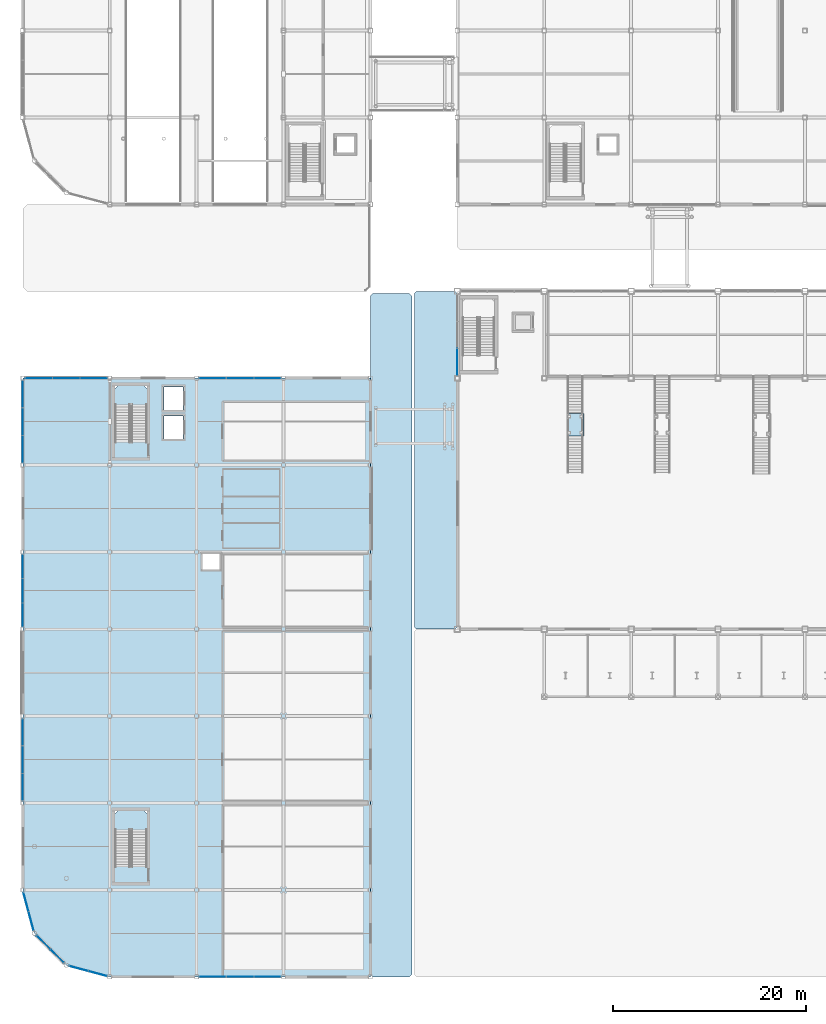
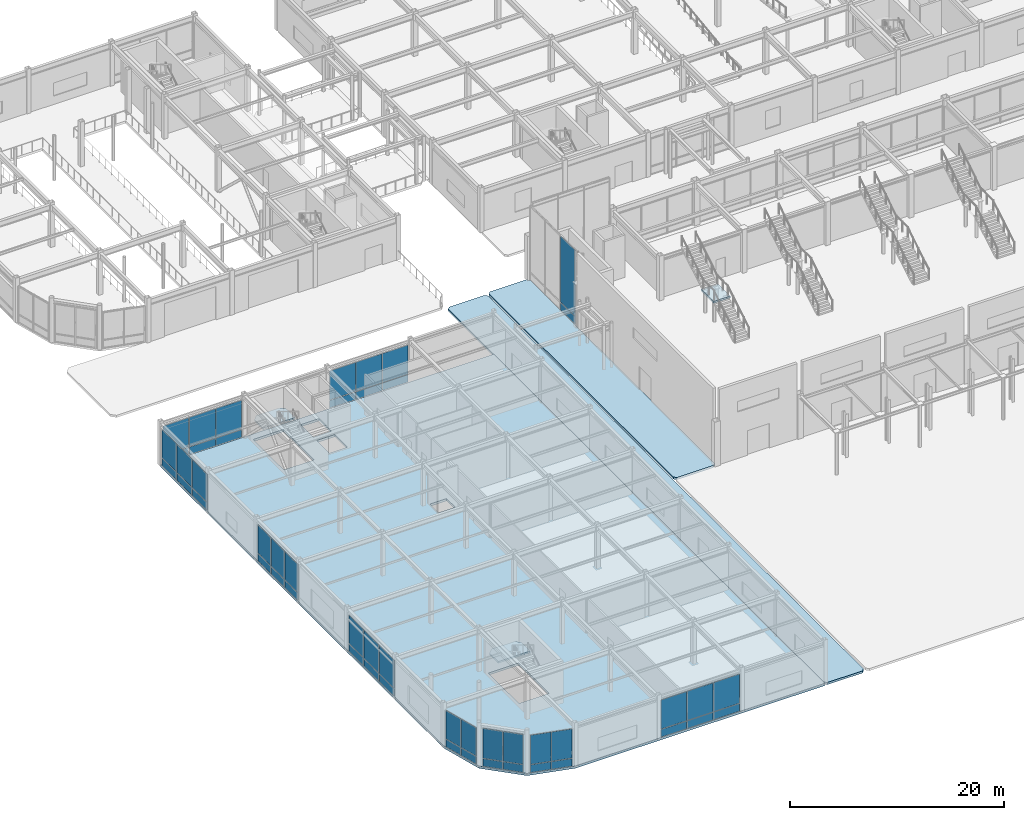
# One storey, part 64 of 123: 50 plates, 6 slabs, 13 elements without a shape of their own.
"""IFC4 building model written with IfcOpenShell, lengths in metres."""

from ifc_helpers import new_model, si_unit, direction, frame, origin, origin_2d, place, context, subcontext, project, spatial, polyline, rectangle, outline, extrude, material, layer, layer_set, type_object, element, aggregate, save


model = new_model("IFC4")

# Units and contexts
model_context = context("Model", 3, precision=1e-05, world=origin(), true_north=direction((0.0, 1.0)))
body_context = subcontext(model_context, "Body", "Model", "MODEL_VIEW")
ifc_project = project(units=[si_unit("LENGTHUNIT", "METRE"), si_unit("AREAUNIT", "SQUARE_METRE"), si_unit("VOLUMEUNIT", "CUBIC_METRE"), si_unit("PLANEANGLEUNIT", "RADIAN"), si_unit("MASSUNIT", "GRAM", prefix="KILO")], contexts=[model_context])

# Site, building, storey
site_placement = place(None, origin())
site = spatial("IfcSite", under=ifc_project, at=site_placement, CompositionType="ELEMENT")
building_placement = place(site_placement, origin())
building = spatial("IfcBuilding", under=site, at=building_placement, Name="Suzunagisa Mobility Hub", CompositionType="ELEMENT")
storey_placement = place(building_placement, origin())
storey = spatial("IfcBuildingStorey", under=building, at=storey_placement, Name="L00", CompositionType="ELEMENT", Elevation=0.0)

# Slabs
ifc_material_1 = material(Name="Concrete C35/45", Category="concrete")
ifc_layer_1 = layer(ifc_material_1, 0.2451171875)
ifc_layer_set_1 = layer_set([ifc_layer_1], Name="Concrete C35/45")
slab_type_1 = type_object("IfcSlabType", Name="Composite Slab SL-07 245mm", PredefinedType="FLOOR", material=ifc_layer_set_1)
slab_1_placement = place(storey_placement, frame((0.0, 0.0, -0.2451171875)))
element("IfcSlab", 1, at=slab_1_placement, inside=storey, type_object=slab_type_1, Name="L00 V5 West Arcade Forecourt Apron", PredefinedType="FLOOR", context=body_context, shape_type="SweptSolid", body=[
    extrude(outline(polyline([(36.25, 0.0), (40.050048828125, 0.0), (40.300048828125, 0.25), (40.300048828125, 70.510009765625), (40.050048828125, 70.760009765625), (36.25, 70.760009765625), (36.0, 70.510009765625), (36.0, 0.25), (36.25, 0.0)])), origin(), (0.0, 0.0, 1.0), 0.2451171875),
])
slab_2_placement = place(storey_placement, frame((0.0, 0.0, -0.2451171875)))
element("IfcSlab", 2, at=slab_2_placement, inside=storey, type_object=slab_type_1, Name="L00 V1 West Transit Passage Apron", PredefinedType="FLOOR", context=body_context, shape_type="SweptSolid", body=[
    extrude(outline(polyline([(40.7900390625, 36.0), (44.75, 36.0), (45.0, 36.25), (45.0, 70.75), (44.75, 71.0), (40.7900390625, 71.0), (40.5400390625, 70.75), (40.5400390625, 36.25), (40.7900390625, 36.0)])), origin(), (0.0, 0.0, 1.0), 0.2451171875),
])
ifc_layer_2 = layer(ifc_material_1, 0.260009765625)
ifc_layer_set_2 = layer_set([ifc_layer_2], Name="Concrete C35/45")
slab_type_2 = type_object("IfcSlabType", Name="Composite Slab SL-12 260mm", PredefinedType="FLOOR", material=ifc_layer_set_2)
slab_3_placement = place(storey_placement, frame((0.0, 0.0, -0.260009765625)))
element("IfcSlab", 3, at=slab_3_placement, inside=storey, type_object=slab_type_2, Name="L00 V5 Floor Slab", PredefinedType="FLOOR", context=body_context, shape_type="SweptSolid", body=[
    extrude(outline(polyline([(0.0, 9.0), (1.205810546875, 4.5), (4.5, 1.205810546875), (9.0, 0.0), (36.0, 0.0), (36.0, 62.0), (0.0, 62.0), (0.0, 9.0)]), holes=[polyline([(18.60009765625, 42.199951171875), (20.39990234375, 42.199951171875), (20.39990234375, 43.800048828125), (18.60009765625, 43.800048828125), (18.60009765625, 42.199951171875)]), polyline([(9.56005859375, 55.47998046875), (12.840087890625, 55.47998046875), (12.840087890625, 61.199951171875), (9.56005859375, 61.199951171875), (9.56005859375, 55.47998046875)]), polyline([(14.6201171875, 55.719970703125), (16.580078125, 55.719970703125), (16.580078125, 58.080078125), (14.6201171875, 58.080078125), (14.6201171875, 55.719970703125)]), polyline([(14.6201171875, 58.719970703125), (16.580078125, 58.719970703125), (16.580078125, 61.080078125), (14.6201171875, 61.080078125), (14.6201171875, 58.719970703125)]), polyline([(9.56005859375, 11.47998046875), (12.840087890625, 11.47998046875), (12.840087890625, 17.199951171875), (9.56005859375, 17.199951171875), (9.56005859375, 11.47998046875)])]), origin(), (0.0, 0.0, 1.0), 0.260009765625),
])

# Stair, slab
stair_type_1 = type_object("IfcStairType", Name="Dog-Leg Core Escape Stair ST-01 W1560", PredefinedType="HALF_TURN_STAIR", material=ifc_material_1)
stair_1_placement = place(storey_placement, origin())
stair_1 = element("IfcStair", 4, at=stair_1_placement, inside=storey, type_object=stair_type_1, Name="L00 Core C1 Escape Stair ST-01", PredefinedType="HALF_TURN_STAIR")
ifc_layer_3 = layer(ifc_material_1, 0.199951171875)
ifc_layer_set_3 = layer_set([ifc_layer_3], Name="Concrete C35/45")
slab_type_3 = type_object("IfcSlabType", Name="Core Stair Half-Landing Slab SL-SLND", PredefinedType="LANDING", material=ifc_layer_set_3)
slab_4_placement = place(storey_placement, frame((0.0, 0.0, 2.35009765625)))
slab_4 = element("IfcSlab", 5, at=slab_4_placement, type_object=slab_type_3, Name="ST-01 landing 1", PredefinedType="LANDING", context=body_context, shape_type="SweptSolid", body=[
    extrude(outline(polyline([(9.4599609375, 59.199951171875), (12.93994140625, 59.199951171875), (12.93994140625, 60.820068359375), (12.4599609375, 61.300048828125), (9.93994140625, 61.300048828125), (9.4599609375, 60.820068359375), (9.4599609375, 59.199951171875)])), origin(), (0.0, 0.0, 1.0), 0.199951171875),
])
aggregate(stair_1, [slab_4])

stair_type_2 = type_object("IfcStairType", Name="Dog-Leg Core Escape Stair ST-02 W1560", PredefinedType="HALF_TURN_STAIR", material=ifc_material_1)
stair_2_placement = place(storey_placement, origin())
stair_2 = element("IfcStair", 6, at=stair_2_placement, inside=storey, type_object=stair_type_2, Name="L00 Core C1B Escape Stair ST-02", PredefinedType="HALF_TURN_STAIR")
slab_5_placement = place(storey_placement, frame((0.0, 0.0, 2.35009765625)))
slab_5 = element("IfcSlab", 7, at=slab_5_placement, type_object=slab_type_3, Name="ST-02 landing 1", PredefinedType="LANDING", context=body_context, shape_type="SweptSolid", body=[
    extrude(outline(polyline([(9.4599609375, 15.199951171875), (12.93994140625, 15.199951171875), (12.93994140625, 16.820068359375), (12.4599609375, 17.300048828125), (9.93994140625, 17.300048828125), (9.4599609375, 16.820068359375), (9.4599609375, 15.199951171875)])), origin(), (0.0, 0.0, 1.0), 0.199951171875),
])
aggregate(stair_2, [slab_5])

stair_type_3 = type_object("IfcStairType", Name="Forecourt Ceremonial Straight Stair FS-01 W1800", PredefinedType="STRAIGHT_RUN_STAIR", material=ifc_material_1)
stair_3_placement = place(storey_placement, origin())
stair_3 = element("IfcStair", 8, at=stair_3_placement, inside=storey, type_object=stair_type_3, Name="Concourse Mezzanine Straight Stair FS-01", PredefinedType="STRAIGHT_RUN_STAIR")
slab_6_placement = place(storey_placement, frame((0.0, 0.0, 2.35009765625)))
slab_6 = element("IfcSlab", 9, at=slab_6_placement, type_object=slab_type_3, Name="Concourse Stair Mid-Landing FS-01-L1", PredefinedType="LANDING", context=body_context, shape_type="SweptSolid", body=[
    extrude(outline(polyline([(56.300048828125, 55.989990234375), (58.10009765625, 55.989990234375), (58.10009765625, 58.340087890625), (56.300048828125, 58.340087890625), (56.300048828125, 55.989990234375)])), origin(), (0.0, 0.0, 1.0), 0.199951171875),
])
aggregate(stair_3, [slab_6])

# Curtain wall, plates
ifc_material_2 = material(Name="Thermally Broken Anodized Aluminum and Low-E Glazing", Category="aluminium")
curtain_wall_type_1 = type_object("IfcCurtainWallType", Name="Unitised Curtain Wall CW-25 4250x4300", PredefinedType="USERDEFINED", material=ifc_material_2)
curtain_wall_1_placement = place(storey_placement, origin())
curtain_wall_1 = element("IfcCurtainWall", 10, at=curtain_wall_1_placement, inside=storey, type_object=curtain_wall_type_1, Name="L00 Unitised Curtain Wall CW-1", ObjectType="UNITISED CURTAIN WALL", PredefinedType="USERDEFINED")
ifc_material_3 = material(Name="Low-E Solar-Control Double Glazing", Category="glass")
ifc_layer_4 = layer(ifc_material_3, 0.028076171875)
ifc_layer_set_4 = layer_set([ifc_layer_4], Name="Low-E Solar-Control Double Glazing")
plate_type_1 = type_object("IfcPlateType", Name="Low-E Double Glazed Curtain Panel GP-01 28mm", PredefinedType="CURTAIN_PANEL", material=ifc_layer_set_4)
plate_1_placement = place(storey_placement, frame((0.335205078125, 7.74951171875, 0.05810546875), z_axis=(0.0, 0.0, 1.0), x_axis=(0.258814277087, -0.965927103862, 0.0)))
plate_1 = element("IfcPlate", 11, at=plate_1_placement, type_object=plate_type_1, Name="Curtain Wall Glazing Panel 1-P1.1", PredefinedType="CURTAIN_PANEL", context=body_context, shape_type="SweptSolid", body=[
    extrude(rectangle(XDim=1.973388671875, YDim=0.028076171875, at=origin_2d()), origin(), (0.0, 0.0, 1.0), 0.864013671875),
])
plate_2_placement = place(storey_placement, frame((0.335205078125, 7.74951171875, 0.97802734375), z_axis=(0.0, 0.0, 1.0), x_axis=(0.258814277087, -0.965927103862, 0.0)))
plate_2 = element("IfcPlate", 12, at=plate_2_placement, type_object=plate_type_1, Name="Curtain Wall Glazing Panel 1-P1.2", PredefinedType="CURTAIN_PANEL", context=body_context, shape_type="SweptSolid", body=[
    extrude(rectangle(XDim=1.973388671875, YDim=0.028076171875, at=origin_2d()), origin(), (0.0, 0.0, 1.0), 3.22607421875),
])
plate_3_placement = place(storey_placement, frame((0.86181640625, 5.7841796875, 0.05810546875), z_axis=(0.0, 0.0, 1.0), x_axis=(0.258814277087, -0.965927103862, 0.0)))
plate_3 = element("IfcPlate", 13, at=plate_3_placement, type_object=plate_type_1, Name="Curtain Wall Glazing Panel 1-P2.1", PredefinedType="CURTAIN_PANEL", context=body_context, shape_type="SweptSolid", body=[
    extrude(rectangle(XDim=1.973388671875, YDim=0.028076171875, at=origin_2d()), origin(), (0.0, 0.0, 1.0), 0.864013671875),
])
plate_4_placement = place(storey_placement, frame((0.86181640625, 5.7841796875, 0.97802734375), z_axis=(0.0, 0.0, 1.0), x_axis=(0.258814277087, -0.965927103862, 0.0)))
plate_4 = element("IfcPlate", 14, at=plate_4_placement, type_object=plate_type_1, Name="Curtain Wall Glazing Panel 1-P2.2", PredefinedType="CURTAIN_PANEL", context=body_context, shape_type="SweptSolid", body=[
    extrude(rectangle(XDim=1.973388671875, YDim=0.028076171875, at=origin_2d()), origin(), (0.0, 0.0, 1.0), 3.22607421875),
])
aggregate(curtain_wall_1, [plate_1, plate_2, plate_3, plate_4])

curtain_wall_type_2 = type_object("IfcCurtainWallType", Name="Unitised Curtain Wall CW-26 4000x4400", PredefinedType="USERDEFINED", material=ifc_material_2)
curtain_wall_2_placement = place(storey_placement, origin())
curtain_wall_2 = element("IfcCurtainWall", 15, at=curtain_wall_2_placement, inside=storey, type_object=curtain_wall_type_2, Name="L00 Unitised Curtain Wall CW-2", ObjectType="UNITISED CURTAIN WALL", PredefinedType="USERDEFINED")
plate_5_placement = place(storey_placement, frame((2.1552734375, 3.550537109375, 0.05810546875), z_axis=(0.0, 0.0, 1.0), x_axis=(0.707106781187, -0.707106781187, 0.0)))
plate_5 = element("IfcPlate", 16, at=plate_5_placement, type_object=plate_type_1, Name="Curtain Wall Glazing Panel 2-P1.1", PredefinedType="CURTAIN_PANEL", context=body_context, shape_type="SweptSolid", body=[
    extrude(rectangle(XDim=1.91259765625, YDim=0.028076171875, at=origin_2d()), origin(), (0.0, 0.0, 1.0), 0.864013671875),
])
plate_6_placement = place(storey_placement, frame((2.1552734375, 3.550537109375, 0.97802734375), z_axis=(0.0, 0.0, 1.0), x_axis=(0.707106781187, -0.707106781187, 0.0)))
plate_6 = element("IfcPlate", 17, at=plate_6_placement, type_object=plate_type_1, Name="Curtain Wall Glazing Panel 2-P1.2", PredefinedType="CURTAIN_PANEL", context=body_context, shape_type="SweptSolid", body=[
    extrude(rectangle(XDim=1.91259765625, YDim=0.028076171875, at=origin_2d()), origin(), (0.0, 0.0, 1.0), 3.4140625),
])
plate_7_placement = place(storey_placement, frame((3.55078125, 2.155029296875, 0.05810546875), z_axis=(0.0, 0.0, 1.0), x_axis=(0.707106781187, -0.707106781187, 0.0)))
plate_7 = element("IfcPlate", 18, at=plate_7_placement, type_object=plate_type_1, Name="Curtain Wall Glazing Panel 2-P2.1", PredefinedType="CURTAIN_PANEL", context=body_context, shape_type="SweptSolid", body=[
    extrude(rectangle(XDim=1.91259765625, YDim=0.028076171875, at=origin_2d()), origin(), (0.0, 0.0, 1.0), 0.864013671875),
])
plate_8_placement = place(storey_placement, frame((3.55078125, 2.155029296875, 0.97802734375), z_axis=(0.0, 0.0, 1.0), x_axis=(0.707106781187, -0.707106781187, 0.0)))
plate_8 = element("IfcPlate", 19, at=plate_8_placement, type_object=plate_type_1, Name="Curtain Wall Glazing Panel 2-P2.2", PredefinedType="CURTAIN_PANEL", context=body_context, shape_type="SweptSolid", body=[
    extrude(rectangle(XDim=1.91259765625, YDim=0.028076171875, at=origin_2d()), origin(), (0.0, 0.0, 1.0), 3.4140625),
])
aggregate(curtain_wall_2, [plate_5, plate_6, plate_7, plate_8])

curtain_wall_type_3 = type_object("IfcCurtainWallType", Name="Unitised Curtain Wall CW-35 4250x4400", PredefinedType="USERDEFINED", material=ifc_material_2)
curtain_wall_3_placement = place(storey_placement, origin())
curtain_wall_3 = element("IfcCurtainWall", 20, at=curtain_wall_3_placement, inside=storey, type_object=curtain_wall_type_3, Name="L00 Unitised Curtain Wall CW-3", ObjectType="UNITISED CURTAIN WALL", PredefinedType="USERDEFINED")
plate_9_placement = place(storey_placement, frame((5.7841796875, 0.861572265625, 0.05810546875), z_axis=(0.0, 0.0, 1.0), x_axis=(0.965927103862, -0.258814277087, 0.0)))
plate_9 = element("IfcPlate", 21, at=plate_9_placement, type_object=plate_type_1, Name="Curtain Wall Glazing Panel 3-P1.1", PredefinedType="CURTAIN_PANEL", context=body_context, shape_type="SweptSolid", body=[
    extrude(rectangle(XDim=1.973388671875, YDim=0.028076171875, at=origin_2d()), origin(), (0.0, 0.0, 1.0), 0.864013671875),
])
plate_10_placement = place(storey_placement, frame((5.7841796875, 0.861572265625, 0.97802734375), z_axis=(0.0, 0.0, 1.0), x_axis=(0.965927103862, -0.258814277087, 0.0)))
plate_10 = element("IfcPlate", 22, at=plate_10_placement, type_object=plate_type_1, Name="Curtain Wall Glazing Panel 3-P1.2", PredefinedType="CURTAIN_PANEL", context=body_context, shape_type="SweptSolid", body=[
    extrude(rectangle(XDim=1.973388671875, YDim=0.028076171875, at=origin_2d()), origin(), (0.0, 0.0, 1.0), 3.325927734375),
])
plate_11_placement = place(storey_placement, frame((7.74951171875, 0.3349609375, 0.05810546875), z_axis=(0.0, 0.0, 1.0), x_axis=(0.965927103862, -0.258814277087, 0.0)))
plate_11 = element("IfcPlate", 23, at=plate_11_placement, type_object=plate_type_1, Name="Curtain Wall Glazing Panel 3-P2.1", PredefinedType="CURTAIN_PANEL", context=body_context, shape_type="SweptSolid", body=[
    extrude(rectangle(XDim=1.973388671875, YDim=0.028076171875, at=origin_2d()), origin(), (0.0, 0.0, 1.0), 0.864013671875),
])
plate_12_placement = place(storey_placement, frame((7.74951171875, 0.3349609375, 0.97802734375), z_axis=(0.0, 0.0, 1.0), x_axis=(0.965927103862, -0.258814277087, 0.0)))
plate_12 = element("IfcPlate", 24, at=plate_12_placement, type_object=plate_type_1, Name="Curtain Wall Glazing Panel 3-P2.2", PredefinedType="CURTAIN_PANEL", context=body_context, shape_type="SweptSolid", body=[
    extrude(rectangle(XDim=1.973388671875, YDim=0.028076171875, at=origin_2d()), origin(), (0.0, 0.0, 1.0), 3.325927734375),
])
aggregate(curtain_wall_3, [plate_9, plate_10, plate_11, plate_12])

curtain_wall_type_4 = type_object("IfcCurtainWallType", Name="Unitised Curtain Wall CW-47 8500x4400", PredefinedType="USERDEFINED", material=ifc_material_2)
curtain_wall_4_placement = place(storey_placement, origin())
curtain_wall_4 = element("IfcCurtainWall", 25, at=curtain_wall_4_placement, inside=storey, type_object=curtain_wall_type_4, Name="L00 Unitised Curtain Wall CW-4", ObjectType="UNITISED CURTAIN WALL", PredefinedType="USERDEFINED")
plate_13_placement = place(storey_placement, frame((19.649658203125, 0.0, 0.06298828125), z_axis=(0.0, 0.0, 1.0), x_axis=(1.0, 0.0, 0.0)))
plate_13 = element("IfcPlate", 26, at=plate_13_placement, type_object=plate_type_1, Name="Curtain Wall Glazing Panel 4-P1.1", PredefinedType="CURTAIN_PANEL", context=body_context, shape_type="SweptSolid", body=[
    extrude(rectangle(XDim=2.773193359375, YDim=0.028076171875, at=origin_2d()), origin(), (0.0, 0.0, 1.0), 0.8564453125),
])
plate_14_placement = place(storey_placement, frame((19.649658203125, 0.0, 0.98046875), z_axis=(0.0, 0.0, 1.0), x_axis=(1.0, 0.0, 0.0)))
plate_14 = element("IfcPlate", 27, at=plate_14_placement, type_object=plate_type_1, Name="Curtain Wall Glazing Panel 4-P1.2", PredefinedType="CURTAIN_PANEL", context=body_context, shape_type="SweptSolid", body=[
    extrude(rectangle(XDim=2.773193359375, YDim=0.028076171875, at=origin_2d()), origin(), (0.0, 0.0, 1.0), 3.318603515625),
])
plate_15_placement = place(storey_placement, frame((22.5, 0.0, 0.06298828125), z_axis=(0.0, 0.0, 1.0), x_axis=(1.0, 0.0, 0.0)))
plate_15 = element("IfcPlate", 28, at=plate_15_placement, type_object=plate_type_1, Name="Curtain Wall Glazing Panel 4-P2.1", PredefinedType="CURTAIN_PANEL", context=body_context, shape_type="SweptSolid", body=[
    extrude(rectangle(XDim=2.8056640625, YDim=0.028076171875, at=origin_2d()), origin(), (0.0, 0.0, 1.0), 0.8564453125),
])
plate_16_placement = place(storey_placement, frame((22.5, 0.0, 0.98046875), z_axis=(0.0, 0.0, 1.0), x_axis=(1.0, 0.0, 0.0)))
plate_16 = element("IfcPlate", 29, at=plate_16_placement, type_object=plate_type_1, Name="Curtain Wall Glazing Panel 4-P2.2", PredefinedType="CURTAIN_PANEL", context=body_context, shape_type="SweptSolid", body=[
    extrude(rectangle(XDim=2.8056640625, YDim=0.028076171875, at=origin_2d()), origin(), (0.0, 0.0, 1.0), 3.318603515625),
])
plate_17_placement = place(storey_placement, frame((25.350341796875, 0.0, 0.06298828125), z_axis=(0.0, 0.0, 1.0), x_axis=(1.0, 0.0, 0.0)))
plate_17 = element("IfcPlate", 30, at=plate_17_placement, type_object=plate_type_1, Name="Curtain Wall Glazing Panel 4-P3.1", PredefinedType="CURTAIN_PANEL", context=body_context, shape_type="SweptSolid", body=[
    extrude(rectangle(XDim=2.773193359375, YDim=0.028076171875, at=origin_2d()), origin(), (0.0, 0.0, 1.0), 0.8564453125),
])
plate_18_placement = place(storey_placement, frame((25.350341796875, 0.0, 0.98046875), z_axis=(0.0, 0.0, 1.0), x_axis=(1.0, 0.0, 0.0)))
plate_18 = element("IfcPlate", 31, at=plate_18_placement, type_object=plate_type_1, Name="Curtain Wall Glazing Panel 4-P3.2", PredefinedType="CURTAIN_PANEL", context=body_context, shape_type="SweptSolid", body=[
    extrude(rectangle(XDim=2.773193359375, YDim=0.028076171875, at=origin_2d()), origin(), (0.0, 0.0, 1.0), 3.318603515625),
])
aggregate(curtain_wall_4, [plate_13, plate_14, plate_15, plate_16, plate_17, plate_18])

curtain_wall_5_placement = place(storey_placement, origin())
curtain_wall_5 = element("IfcCurtainWall", 32, at=curtain_wall_5_placement, inside=storey, type_object=curtain_wall_type_4, Name="L00 Unitised Curtain Wall CW-5", ObjectType="UNITISED CURTAIN WALL", PredefinedType="USERDEFINED")
plate_19_placement = place(storey_placement, frame((25.350341796875, 62.0, 0.06298828125), z_axis=(0.0, 0.0, 1.0), x_axis=(-1.0, 0.0, 0.0)))
plate_19 = element("IfcPlate", 33, at=plate_19_placement, type_object=plate_type_1, Name="Curtain Wall Glazing Panel 5-P1.1", PredefinedType="CURTAIN_PANEL", context=body_context, shape_type="SweptSolid", body=[
    extrude(rectangle(XDim=2.773193359375, YDim=0.028076171875, at=origin_2d()), origin(), (0.0, 0.0, 1.0), 0.8564453125),
])
plate_20_placement = place(storey_placement, frame((25.350341796875, 62.0, 0.98046875), z_axis=(0.0, 0.0, 1.0), x_axis=(-1.0, 0.0, 0.0)))
plate_20 = element("IfcPlate", 34, at=plate_20_placement, type_object=plate_type_1, Name="Curtain Wall Glazing Panel 5-P1.2", PredefinedType="CURTAIN_PANEL", context=body_context, shape_type="SweptSolid", body=[
    extrude(rectangle(XDim=2.773193359375, YDim=0.028076171875, at=origin_2d()), origin(), (0.0, 0.0, 1.0), 3.318603515625),
])
plate_21_placement = place(storey_placement, frame((22.5, 62.0, 0.06298828125), z_axis=(0.0, 0.0, 1.0), x_axis=(-1.0, 0.0, 0.0)))
plate_21 = element("IfcPlate", 35, at=plate_21_placement, type_object=plate_type_1, Name="Curtain Wall Glazing Panel 5-P2.1", PredefinedType="CURTAIN_PANEL", context=body_context, shape_type="SweptSolid", body=[
    extrude(rectangle(XDim=2.8056640625, YDim=0.028076171875, at=origin_2d()), origin(), (0.0, 0.0, 1.0), 0.8564453125),
])
plate_22_placement = place(storey_placement, frame((22.5, 62.0, 0.98046875), z_axis=(0.0, 0.0, 1.0), x_axis=(-1.0, 0.0, 0.0)))
plate_22 = element("IfcPlate", 36, at=plate_22_placement, type_object=plate_type_1, Name="Curtain Wall Glazing Panel 5-P2.2", PredefinedType="CURTAIN_PANEL", context=body_context, shape_type="SweptSolid", body=[
    extrude(rectangle(XDim=2.8056640625, YDim=0.028076171875, at=origin_2d()), origin(), (0.0, 0.0, 1.0), 3.318603515625),
])
plate_23_placement = place(storey_placement, frame((19.649658203125, 62.0, 0.06298828125), z_axis=(0.0, 0.0, 1.0), x_axis=(-1.0, 0.0, 0.0)))
plate_23 = element("IfcPlate", 37, at=plate_23_placement, type_object=plate_type_1, Name="Curtain Wall Glazing Panel 5-P3.1", PredefinedType="CURTAIN_PANEL", context=body_context, shape_type="SweptSolid", body=[
    extrude(rectangle(XDim=2.773193359375, YDim=0.028076171875, at=origin_2d()), origin(), (0.0, 0.0, 1.0), 0.8564453125),
])
plate_24_placement = place(storey_placement, frame((19.649658203125, 62.0, 0.98046875), z_axis=(0.0, 0.0, 1.0), x_axis=(-1.0, 0.0, 0.0)))
plate_24 = element("IfcPlate", 38, at=plate_24_placement, type_object=plate_type_1, Name="Curtain Wall Glazing Panel 5-P3.2", PredefinedType="CURTAIN_PANEL", context=body_context, shape_type="SweptSolid", body=[
    extrude(rectangle(XDim=2.773193359375, YDim=0.028076171875, at=origin_2d()), origin(), (0.0, 0.0, 1.0), 3.318603515625),
])
aggregate(curtain_wall_5, [plate_19, plate_20, plate_21, plate_22, plate_23, plate_24])

curtain_wall_6_placement = place(storey_placement, origin())
curtain_wall_6 = element("IfcCurtainWall", 39, at=curtain_wall_6_placement, inside=storey, type_object=curtain_wall_type_4, Name="L00 Unitised Curtain Wall CW-6", ObjectType="UNITISED CURTAIN WALL", PredefinedType="USERDEFINED")
plate_25_placement = place(storey_placement, frame((7.350341796875, 62.0, 0.06298828125), z_axis=(0.0, 0.0, 1.0), x_axis=(-1.0, 0.0, 0.0)))
plate_25 = element("IfcPlate", 40, at=plate_25_placement, type_object=plate_type_1, Name="Curtain Wall Glazing Panel 6-P1.1", PredefinedType="CURTAIN_PANEL", context=body_context, shape_type="SweptSolid", body=[
    extrude(rectangle(XDim=2.773193359375, YDim=0.028076171875, at=origin_2d()), origin(), (0.0, 0.0, 1.0), 0.8564453125),
])
plate_26_placement = place(storey_placement, frame((7.350341796875, 62.0, 0.98046875), z_axis=(0.0, 0.0, 1.0), x_axis=(-1.0, 0.0, 0.0)))
plate_26 = element("IfcPlate", 41, at=plate_26_placement, type_object=plate_type_1, Name="Curtain Wall Glazing Panel 6-P1.2", PredefinedType="CURTAIN_PANEL", context=body_context, shape_type="SweptSolid", body=[
    extrude(rectangle(XDim=2.773193359375, YDim=0.028076171875, at=origin_2d()), origin(), (0.0, 0.0, 1.0), 3.318603515625),
])
plate_27_placement = place(storey_placement, frame((4.5, 62.0, 0.06298828125), z_axis=(0.0, 0.0, 1.0), x_axis=(-1.0, 0.0, 0.0)))
plate_27 = element("IfcPlate", 42, at=plate_27_placement, type_object=plate_type_1, Name="Curtain Wall Glazing Panel 6-P2.1", PredefinedType="CURTAIN_PANEL", context=body_context, shape_type="SweptSolid", body=[
    extrude(rectangle(XDim=2.8056640625, YDim=0.028076171875, at=origin_2d()), origin(), (0.0, 0.0, 1.0), 0.8564453125),
])
plate_28_placement = place(storey_placement, frame((4.5, 62.0, 0.98046875), z_axis=(0.0, 0.0, 1.0), x_axis=(-1.0, 0.0, 0.0)))
plate_28 = element("IfcPlate", 43, at=plate_28_placement, type_object=plate_type_1, Name="Curtain Wall Glazing Panel 6-P2.2", PredefinedType="CURTAIN_PANEL", context=body_context, shape_type="SweptSolid", body=[
    extrude(rectangle(XDim=2.8056640625, YDim=0.028076171875, at=origin_2d()), origin(), (0.0, 0.0, 1.0), 3.318603515625),
])
plate_29_placement = place(storey_placement, frame((1.649658203125, 62.0, 0.06298828125), z_axis=(0.0, 0.0, 1.0), x_axis=(-1.0, 0.0, 0.0)))
plate_29 = element("IfcPlate", 44, at=plate_29_placement, type_object=plate_type_1, Name="Curtain Wall Glazing Panel 6-P3.1", PredefinedType="CURTAIN_PANEL", context=body_context, shape_type="SweptSolid", body=[
    extrude(rectangle(XDim=2.773193359375, YDim=0.028076171875, at=origin_2d()), origin(), (0.0, 0.0, 1.0), 0.8564453125),
])
plate_30_placement = place(storey_placement, frame((1.649658203125, 62.0, 0.98046875), z_axis=(0.0, 0.0, 1.0), x_axis=(-1.0, 0.0, 0.0)))
plate_30 = element("IfcPlate", 45, at=plate_30_placement, type_object=plate_type_1, Name="Curtain Wall Glazing Panel 6-P3.2", PredefinedType="CURTAIN_PANEL", context=body_context, shape_type="SweptSolid", body=[
    extrude(rectangle(XDim=2.773193359375, YDim=0.028076171875, at=origin_2d()), origin(), (0.0, 0.0, 1.0), 3.318603515625),
])
aggregate(curtain_wall_6, [plate_25, plate_26, plate_27, plate_28, plate_29, plate_30])

curtain_wall_type_5 = type_object("IfcCurtainWallType", Name="Unitised Curtain Wall CW-21 8500x4300", PredefinedType="USERDEFINED", material=ifc_material_2)
curtain_wall_7_placement = place(storey_placement, origin())
curtain_wall_7 = element("IfcCurtainWall", 46, at=curtain_wall_7_placement, inside=storey, type_object=curtain_wall_type_5, Name="L00 Unitised Curtain Wall CW-7", ObjectType="UNITISED CURTAIN WALL", PredefinedType="USERDEFINED")
plate_31_placement = place(storey_placement, frame((0.0, 60.350341796875, 0.06298828125), z_axis=(0.0, 0.0, 1.0), x_axis=(0.0, -1.0, 0.0)))
plate_31 = element("IfcPlate", 47, at=plate_31_placement, type_object=plate_type_1, Name="Curtain Wall Glazing Panel 7-P1.1", PredefinedType="CURTAIN_PANEL", context=body_context, shape_type="SweptSolid", body=[
    extrude(rectangle(XDim=2.773193359375, YDim=0.028076171875, at=origin_2d()), origin(), (0.0, 0.0, 1.0), 0.8564453125),
])
plate_32_placement = place(storey_placement, frame((0.0, 60.350341796875, 0.98046875), z_axis=(0.0, 0.0, 1.0), x_axis=(0.0, -1.0, 0.0)))
plate_32 = element("IfcPlate", 48, at=plate_32_placement, type_object=plate_type_1, Name="Curtain Wall Glazing Panel 7-P1.2", PredefinedType="CURTAIN_PANEL", context=body_context, shape_type="SweptSolid", body=[
    extrude(rectangle(XDim=2.773193359375, YDim=0.028076171875, at=origin_2d()), origin(), (0.0, 0.0, 1.0), 3.218505859375),
])
plate_33_placement = place(storey_placement, frame((0.0, 57.5, 0.06298828125), z_axis=(0.0, 0.0, 1.0), x_axis=(0.0, -1.0, 0.0)))
plate_33 = element("IfcPlate", 49, at=plate_33_placement, type_object=plate_type_1, Name="Curtain Wall Glazing Panel 7-P2.1", PredefinedType="CURTAIN_PANEL", context=body_context, shape_type="SweptSolid", body=[
    extrude(rectangle(XDim=2.8056640625, YDim=0.028076171875, at=origin_2d()), origin(), (0.0, 0.0, 1.0), 0.8564453125),
])
plate_34_placement = place(storey_placement, frame((0.0, 57.5, 0.98046875), z_axis=(0.0, 0.0, 1.0), x_axis=(0.0, -1.0, 0.0)))
plate_34 = element("IfcPlate", 50, at=plate_34_placement, type_object=plate_type_1, Name="Curtain Wall Glazing Panel 7-P2.2", PredefinedType="CURTAIN_PANEL", context=body_context, shape_type="SweptSolid", body=[
    extrude(rectangle(XDim=2.8056640625, YDim=0.028076171875, at=origin_2d()), origin(), (0.0, 0.0, 1.0), 3.218505859375),
])
plate_35_placement = place(storey_placement, frame((0.0, 54.649658203125, 0.06298828125), z_axis=(0.0, 0.0, 1.0), x_axis=(0.0, -1.0, 0.0)))
plate_35 = element("IfcPlate", 51, at=plate_35_placement, type_object=plate_type_1, Name="Curtain Wall Glazing Panel 7-P3.1", PredefinedType="CURTAIN_PANEL", context=body_context, shape_type="SweptSolid", body=[
    extrude(rectangle(XDim=2.773193359375, YDim=0.028076171875, at=origin_2d()), origin(), (0.0, 0.0, 1.0), 0.8564453125),
])
plate_36_placement = place(storey_placement, frame((0.0, 54.649658203125, 0.98046875), z_axis=(0.0, 0.0, 1.0), x_axis=(0.0, -1.0, 0.0)))
plate_36 = element("IfcPlate", 52, at=plate_36_placement, type_object=plate_type_1, Name="Curtain Wall Glazing Panel 7-P3.2", PredefinedType="CURTAIN_PANEL", context=body_context, shape_type="SweptSolid", body=[
    extrude(rectangle(XDim=2.773193359375, YDim=0.028076171875, at=origin_2d()), origin(), (0.0, 0.0, 1.0), 3.218505859375),
])
aggregate(curtain_wall_7, [plate_31, plate_32, plate_33, plate_34, plate_35, plate_36])

curtain_wall_type_6 = type_object("IfcCurtainWallType", Name="Unitised Curtain Wall CW-19 7500x4300", PredefinedType="USERDEFINED", material=ifc_material_2)
curtain_wall_8_placement = place(storey_placement, origin())
curtain_wall_8 = element("IfcCurtainWall", 53, at=curtain_wall_8_placement, inside=storey, type_object=curtain_wall_type_6, Name="L00 Unitised Curtain Wall CW-8", ObjectType="UNITISED CURTAIN WALL", PredefinedType="USERDEFINED")
plate_37_placement = place(storey_placement, frame((0.0, 42.51708984375, 0.06298828125), z_axis=(0.0, 0.0, 1.0), x_axis=(0.0, -1.0, 0.0)))
plate_37 = element("IfcPlate", 54, at=plate_37_placement, type_object=plate_type_1, Name="Curtain Wall Glazing Panel 8-P1.1", PredefinedType="CURTAIN_PANEL", context=body_context, shape_type="SweptSolid", body=[
    extrude(rectangle(XDim=2.439697265625, YDim=0.028076171875, at=origin_2d()), origin(), (0.0, 0.0, 1.0), 0.8564453125),
])
plate_38_placement = place(storey_placement, frame((0.0, 42.51708984375, 0.98046875), z_axis=(0.0, 0.0, 1.0), x_axis=(0.0, -1.0, 0.0)))
plate_38 = element("IfcPlate", 55, at=plate_38_placement, type_object=plate_type_1, Name="Curtain Wall Glazing Panel 8-P1.2", PredefinedType="CURTAIN_PANEL", context=body_context, shape_type="SweptSolid", body=[
    extrude(rectangle(XDim=2.439697265625, YDim=0.028076171875, at=origin_2d()), origin(), (0.0, 0.0, 1.0), 3.218505859375),
])
plate_39_placement = place(storey_placement, frame((0.0, 40.0, 0.06298828125), z_axis=(0.0, 0.0, 1.0), x_axis=(0.0, -1.0, 0.0)))
plate_39 = element("IfcPlate", 56, at=plate_39_placement, type_object=plate_type_1, Name="Curtain Wall Glazing Panel 8-P2.1", PredefinedType="CURTAIN_PANEL", context=body_context, shape_type="SweptSolid", body=[
    extrude(rectangle(XDim=2.472412109375, YDim=0.028076171875, at=origin_2d()), origin(), (0.0, 0.0, 1.0), 0.8564453125),
])
plate_40_placement = place(storey_placement, frame((0.0, 40.0, 0.98046875), z_axis=(0.0, 0.0, 1.0), x_axis=(0.0, -1.0, 0.0)))
plate_40 = element("IfcPlate", 57, at=plate_40_placement, type_object=plate_type_1, Name="Curtain Wall Glazing Panel 8-P2.2", PredefinedType="CURTAIN_PANEL", context=body_context, shape_type="SweptSolid", body=[
    extrude(rectangle(XDim=2.472412109375, YDim=0.028076171875, at=origin_2d()), origin(), (0.0, 0.0, 1.0), 3.218505859375),
])
plate_41_placement = place(storey_placement, frame((0.0, 37.48291015625, 0.06298828125), z_axis=(0.0, 0.0, 1.0), x_axis=(0.0, -1.0, 0.0)))
plate_41 = element("IfcPlate", 58, at=plate_41_placement, type_object=plate_type_1, Name="Curtain Wall Glazing Panel 8-P3.1", PredefinedType="CURTAIN_PANEL", context=body_context, shape_type="SweptSolid", body=[
    extrude(rectangle(XDim=2.439697265625, YDim=0.028076171875, at=origin_2d()), origin(), (0.0, 0.0, 1.0), 0.8564453125),
])
plate_42_placement = place(storey_placement, frame((0.0, 37.48291015625, 0.98046875), z_axis=(0.0, 0.0, 1.0), x_axis=(0.0, -1.0, 0.0)))
plate_42 = element("IfcPlate", 59, at=plate_42_placement, type_object=plate_type_1, Name="Curtain Wall Glazing Panel 8-P3.2", PredefinedType="CURTAIN_PANEL", context=body_context, shape_type="SweptSolid", body=[
    extrude(rectangle(XDim=2.439697265625, YDim=0.028076171875, at=origin_2d()), origin(), (0.0, 0.0, 1.0), 3.218505859375),
])
aggregate(curtain_wall_8, [plate_37, plate_38, plate_39, plate_40, plate_41, plate_42])

curtain_wall_9_placement = place(storey_placement, origin())
curtain_wall_9 = element("IfcCurtainWall", 60, at=curtain_wall_9_placement, inside=storey, type_object=curtain_wall_type_5, Name="L00 Unitised Curtain Wall CW-9", ObjectType="UNITISED CURTAIN WALL", PredefinedType="USERDEFINED")
plate_43_placement = place(storey_placement, frame((0.0, 25.350341796875, 0.06298828125), z_axis=(0.0, 0.0, 1.0), x_axis=(0.0, -1.0, 0.0)))
plate_43 = element("IfcPlate", 61, at=plate_43_placement, type_object=plate_type_1, Name="Curtain Wall Glazing Panel 9-P1.1", PredefinedType="CURTAIN_PANEL", context=body_context, shape_type="SweptSolid", body=[
    extrude(rectangle(XDim=2.773193359375, YDim=0.028076171875, at=origin_2d()), origin(), (0.0, 0.0, 1.0), 0.8564453125),
])
plate_44_placement = place(storey_placement, frame((0.0, 25.350341796875, 0.98046875), z_axis=(0.0, 0.0, 1.0), x_axis=(0.0, -1.0, 0.0)))
plate_44 = element("IfcPlate", 62, at=plate_44_placement, type_object=plate_type_1, Name="Curtain Wall Glazing Panel 9-P1.2", PredefinedType="CURTAIN_PANEL", context=body_context, shape_type="SweptSolid", body=[
    extrude(rectangle(XDim=2.773193359375, YDim=0.028076171875, at=origin_2d()), origin(), (0.0, 0.0, 1.0), 3.218505859375),
])
plate_45_placement = place(storey_placement, frame((0.0, 22.5, 0.06298828125), z_axis=(0.0, 0.0, 1.0), x_axis=(0.0, -1.0, 0.0)))
plate_45 = element("IfcPlate", 63, at=plate_45_placement, type_object=plate_type_1, Name="Curtain Wall Glazing Panel 9-P2.1", PredefinedType="CURTAIN_PANEL", context=body_context, shape_type="SweptSolid", body=[
    extrude(rectangle(XDim=2.8056640625, YDim=0.028076171875, at=origin_2d()), origin(), (0.0, 0.0, 1.0), 0.8564453125),
])
plate_46_placement = place(storey_placement, frame((0.0, 22.5, 0.98046875), z_axis=(0.0, 0.0, 1.0), x_axis=(0.0, -1.0, 0.0)))
plate_46 = element("IfcPlate", 64, at=plate_46_placement, type_object=plate_type_1, Name="Curtain Wall Glazing Panel 9-P2.2", PredefinedType="CURTAIN_PANEL", context=body_context, shape_type="SweptSolid", body=[
    extrude(rectangle(XDim=2.8056640625, YDim=0.028076171875, at=origin_2d()), origin(), (0.0, 0.0, 1.0), 3.218505859375),
])
plate_47_placement = place(storey_placement, frame((0.0, 19.649658203125, 0.06298828125), z_axis=(0.0, 0.0, 1.0), x_axis=(0.0, -1.0, 0.0)))
plate_47 = element("IfcPlate", 65, at=plate_47_placement, type_object=plate_type_1, Name="Curtain Wall Glazing Panel 9-P3.1", PredefinedType="CURTAIN_PANEL", context=body_context, shape_type="SweptSolid", body=[
    extrude(rectangle(XDim=2.773193359375, YDim=0.028076171875, at=origin_2d()), origin(), (0.0, 0.0, 1.0), 0.8564453125),
])
plate_48_placement = place(storey_placement, frame((0.0, 19.649658203125, 0.98046875), z_axis=(0.0, 0.0, 1.0), x_axis=(0.0, -1.0, 0.0)))
plate_48 = element("IfcPlate", 66, at=plate_48_placement, type_object=plate_type_1, Name="Curtain Wall Glazing Panel 9-P3.2", PredefinedType="CURTAIN_PANEL", context=body_context, shape_type="SweptSolid", body=[
    extrude(rectangle(XDim=2.773193359375, YDim=0.028076171875, at=origin_2d()), origin(), (0.0, 0.0, 1.0), 3.218505859375),
])
aggregate(curtain_wall_9, [plate_43, plate_44, plate_45, plate_46, plate_47, plate_48])

curtain_wall_type_7 = type_object("IfcCurtainWallType", Name="Unitised Curtain Wall CW-34 8500x8600", PredefinedType="USERDEFINED", material=ifc_material_2)
curtain_wall_10_placement = place(storey_placement, origin())
curtain_wall_10 = element("IfcCurtainWall", 67, at=curtain_wall_10_placement, inside=storey, type_object=curtain_wall_type_7, Name="L00 Unitised Curtain Wall CW-43", ObjectType="UNITISED CURTAIN WALL", PredefinedType="USERDEFINED")
ifc_layer_5 = layer(ifc_material_3, 0.031982421875)
ifc_layer_set_5 = layer_set([ifc_layer_5], Name="Low-E Solar-Control Double Glazing")
plate_type_2 = type_object("IfcPlateType", Name="Low-E Double Glazed Curtain Panel GP-02 32mm", PredefinedType="CURTAIN_PANEL", material=ifc_layer_set_5)
plate_49_placement = place(storey_placement, frame((45.0, 63.674560546875, 0.06298828125), z_axis=(0.0, 0.0, 1.0), x_axis=(0.0, -1.0, 0.0)))
plate_49 = element("IfcPlate", 68, at=plate_49_placement, type_object=plate_type_2, Name="Curtain Wall Glazing Panel 43-P3.1", PredefinedType="CURTAIN_PANEL", context=body_context, shape_type="SweptSolid", body=[
    extrude(rectangle(XDim=2.72314453125, YDim=0.031982421875, at=origin_2d()), origin(), (0.0, 0.0, 1.0), 0.8564453125),
])
plate_50_placement = place(storey_placement, frame((45.0, 63.674560546875, 0.98046875), z_axis=(0.0, 0.0, 1.0), x_axis=(0.0, -1.0, 0.0)))
plate_50 = element("IfcPlate", 69, at=plate_50_placement, type_object=plate_type_2, Name="Curtain Wall Glazing Panel 43-P3.2", PredefinedType="CURTAIN_PANEL", context=body_context, shape_type="SweptSolid", body=[
    extrude(rectangle(XDim=2.72314453125, YDim=0.031982421875, at=origin_2d()), origin(), (0.0, 0.0, 1.0), 7.53662109375),
])
aggregate(curtain_wall_10, [plate_49, plate_50])

save(model, "model.ifc")
